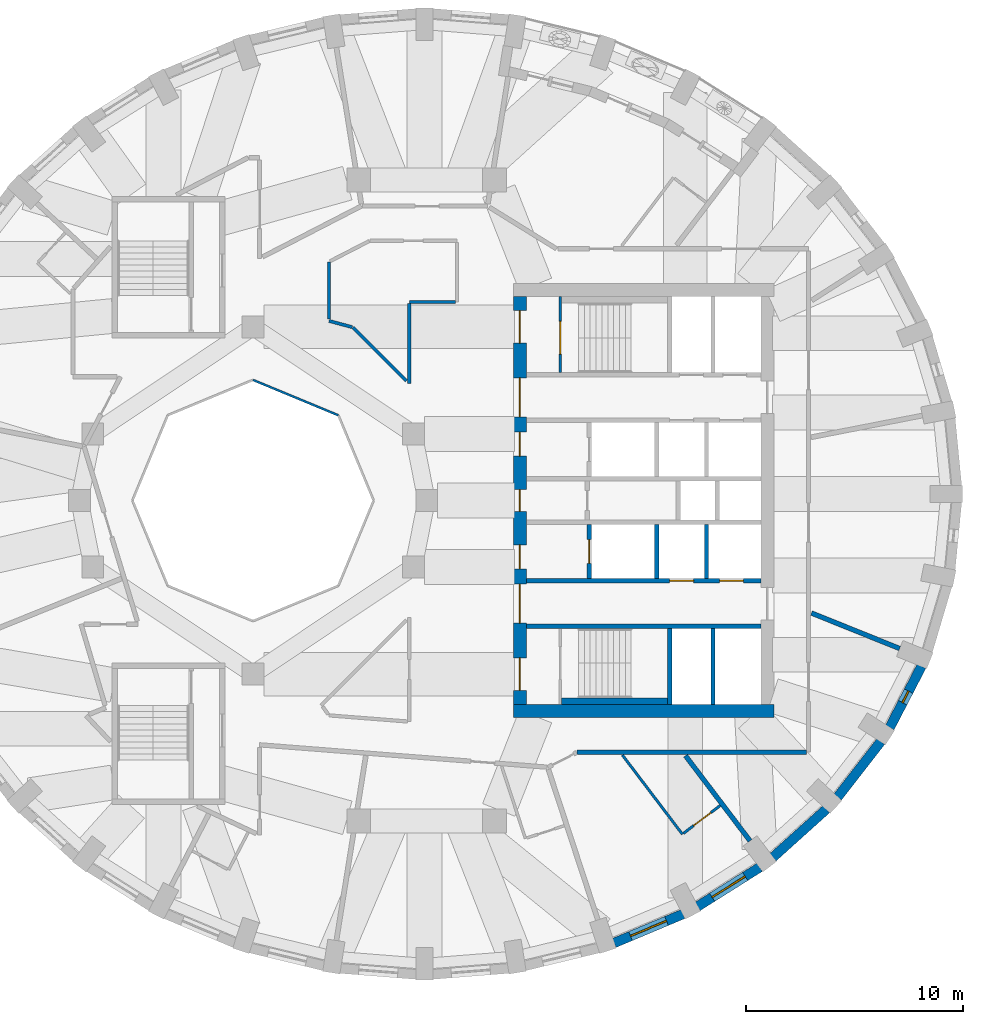
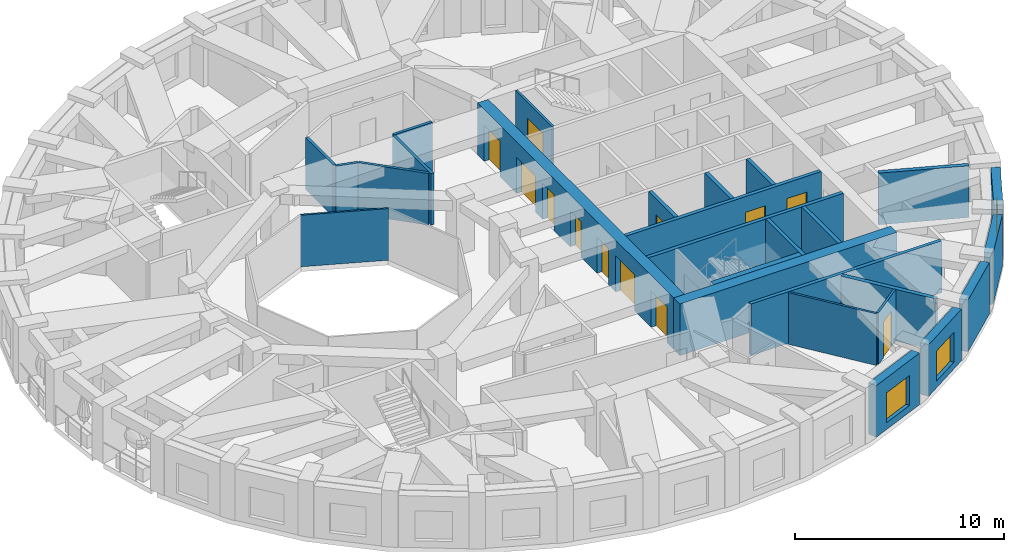
# One storey, part 5 of 12: 27 walls, 12 doors, 3 windows, 15 openings.
"""IFC4 building model written with IfcOpenShell, lengths in metres."""

from ifc_helpers import new_model, si_unit, direction, frame, frame_2d, origin, place, context, subcontext, project, spatial, rectangle, extrude, material, layer, layer_set, type_object, element, fill, save


model = new_model("IFC4")

# Units and contexts
model_context = context("Model", 3, precision=1e-05, world=origin(), true_north=direction((0.0, 1.0)))
body_context = subcontext(model_context, "Body", "Model", "MODEL_VIEW")
ifc_project = project(units=[si_unit("LENGTHUNIT", "METRE"), si_unit("AREAUNIT", "SQUARE_METRE"), si_unit("VOLUMEUNIT", "CUBIC_METRE"), si_unit("PLANEANGLEUNIT", "RADIAN"), si_unit("MASSUNIT", "GRAM", prefix="KILO")], contexts=[model_context])

# Site, building, storey
site_placement = place(None, origin())
site = spatial("IfcSite", under=ifc_project, at=site_placement, CompositionType="ELEMENT")
building_placement = place(site_placement, origin())
building = spatial("IfcBuilding", under=site, at=building_placement, Name="Taillehof Tower", CompositionType="ELEMENT")
storey_placement = place(building_placement, frame((0.0, 0.0, 239.89990234375)))
storey = spatial("IfcBuildingStorey", under=building, at=storey_placement, Name="L68", CompositionType="ELEMENT", Elevation=239.89990234375)

# Wall
ifc_material_1 = material(Name="Fire-resisting glass in steel frame", Category="steel")
ifc_layer_1 = layer(ifc_material_1, 0.10009765625)
ifc_layer_set_1 = layer_set([ifc_layer_1], Name="Atrium fire-resisting screen EI 60 100")
wall_type_1 = type_object("IfcWallType", Name="Atrium fire-resisting screen EI 60 100", PredefinedType="PARTITIONING", material=ifc_layer_set_1)
wall_1_placement = place(storey_placement, frame((-8.0, 5.55419921875, 0.0), z_axis=(0.0, 0.0, 1.0), x_axis=(0.923860025149, -0.382730523909, 0.0)))
element("IfcWall", 1, at=wall_1_placement, inside=storey, type_object=wall_type_1, Name="Atrium screen", PredefinedType="PARTITIONING", context=body_context, shape_type="SweptSolid", body=[
    extrude(rectangle(XDim=4.2509765625, YDim=0.10009765625, at=frame_2d((2.12548828125, 0.0))), origin(), (0.0, 0.0, 1.0), 3.02001953125),
])

# Wall, opening, window
ifc_material_2 = material(Name="Brick masonry", Category="masonry")
ifc_layer_2 = layer(ifc_material_2, 0.449951171875)
ifc_layer_set_2 = layer_set([ifc_layer_2], Name="Brick infill wall 450")
wall_type_2 = type_object("IfcWallType", Name="Brick infill wall 450", PredefinedType="SOLIDWALL", material=ifc_layer_set_2)
wall_2_placement = place(storey_placement, frame((8.640869140625, -20.394775390625, 0.0), z_axis=(0.0, 0.0, 1.0), x_axis=(0.922049934692, 0.3870709469, 0.0)))
wall_2 = element("IfcWall", 2, at=wall_2_placement, inside=storey, type_object=wall_type_2, Name="Brick wall L68 bay 30", PredefinedType="SOLIDWALL", context=body_context, shape_type="SweptSolid", body=[
    extrude(rectangle(XDim=3.443115234375, YDim=0.449951171875, at=frame_2d((1.7216796875, 0.0))), origin(), (0.0, 0.0, 1.0), 3.02001953125),
])
opening_1_placement = place(wall_2_placement, frame((0.82177734375, 0.0, 0.39990234375)))
opening_1 = element("IfcOpeningElement", 3, at=opening_1_placement, cuts=wall_2, Name="Opening W4", PredefinedType="OPENING", context=body_context, shape_type="SweptSolid", body=[
    extrude(rectangle(XDim=1.800048828125, YDim=1.75, at=frame_2d((0.89990234375, 0.875))), frame((0.0, 0.23486328125, 0.0), z_axis=(0.0, -1.0, 0.0), x_axis=(1.0, 0.0, 0.0)), (0.0, 0.0, 1.0), 0.469970703125),
])
ifc_material_3 = material(Name="Aluminium window frame with clear double glazing", Category="aluminium")
window_type_1 = type_object("IfcWindowType", Name="Deep-set window 1800x1750", PartitioningType="SINGLE_PANEL", PredefinedType="WINDOW", material=ifc_material_3)
window_1_placement = place(opening_1_placement, origin())
window_1 = element("IfcWindow", 4, at=window_1_placement, inside=storey, type_object=window_type_1, Name="W4", OverallHeight=1.75, OverallWidth=1.800048828125, PartitioningType="SINGLE_PANEL", PredefinedType="WINDOW", context=body_context, shape_type="SweptSolid", body=[
    extrude(rectangle(XDim=1.800048828125, YDim=1.75, at=frame_2d((0.89990234375, 0.875))), frame((0.0, 0.034912109375, 0.0), z_axis=(0.0, -1.0, 0.0), x_axis=(1.0, 0.0, 0.0)), (0.0, 0.0, 1.0), 0.06005859375),
])
fill(opening_1, window_1)

wall_3_placement = place(storey_placement, frame((12.489990234375, -18.7109375, 0.0), z_axis=(0.0, 0.0, 1.0), x_axis=(0.845929139811, 0.53329531258, 0.0)))
wall_3 = element("IfcWall", 5, at=wall_3_placement, inside=storey, type_object=wall_type_2, Name="Brick wall L68 bay 31", PredefinedType="SOLIDWALL", context=body_context, shape_type="SweptSolid", body=[
    extrude(rectangle(XDim=3.384521484375, YDim=0.449951171875, at=frame_2d((1.6923828125, 0.0))), origin(), (0.0, 0.0, 1.0), 3.02001953125),
])
opening_2_placement = place(wall_3_placement, frame((0.792236328125, 0.0, 0.39990234375)))
opening_2 = element("IfcOpeningElement", 6, at=opening_2_placement, cuts=wall_3, Name="Opening W4", PredefinedType="OPENING", context=body_context, shape_type="SweptSolid", body=[
    extrude(rectangle(XDim=1.800048828125, YDim=1.75, at=frame_2d((0.89990234375, 0.875))), frame((0.0, 0.23486328125, 0.0), z_axis=(0.0, -1.0, 0.0), x_axis=(1.0, 0.0, 0.0)), (0.0, 0.0, 1.0), 0.469970703125),
])
window_2_placement = place(opening_2_placement, origin())
window_2 = element("IfcWindow", 7, at=window_2_placement, inside=storey, type_object=window_type_1, Name="W4", OverallHeight=1.75, OverallWidth=1.800048828125, PartitioningType="SINGLE_PANEL", PredefinedType="WINDOW", context=body_context, shape_type="SweptSolid", body=[
    extrude(rectangle(XDim=1.800048828125, YDim=1.75, at=frame_2d((0.89990234375, 0.875))), frame((0.0, 0.034912109375, 0.0), z_axis=(0.0, -1.0, 0.0), x_axis=(1.0, 0.0, 0.0)), (0.0, 0.0, 1.0), 0.06005859375),
])
fill(opening_2, window_2)

# Walls
wall_4_placement = place(storey_placement, frame((15.959228515625, -16.447509765625, 0.0), z_axis=(0.0, 0.0, 1.0), x_axis=(0.743166014219, 0.669107073128, 0.0)))
element("IfcWall", 8, at=wall_4_placement, inside=storey, type_object=wall_type_2, Name="Brick wall L68 bay 32", PredefinedType="SOLIDWALL", context=body_context, shape_type="SweptSolid", body=[
    extrude(rectangle(XDim=3.31640625, YDim=0.449951171875, at=frame_2d((1.658203125, 0.0))), origin(), (0.0, 0.0, 1.0), 3.02001953125),
])
wall_5_placement = place(storey_placement, frame((18.941650390625, -13.671875, 0.0), z_axis=(0.0, 0.0, 1.0), x_axis=(0.613898970825, 0.789384604372, 0.0)))
element("IfcWall", 9, at=wall_5_placement, inside=storey, type_object=wall_type_2, Name="Brick wall L68 bay 33", PredefinedType="SOLIDWALL", context=body_context, shape_type="SweptSolid", body=[
    extrude(rectangle(XDim=3.2470703125, YDim=0.449951171875, at=frame_2d((1.62353515625, 0.0))), origin(), (0.0, 0.0, 1.0), 3.02001953125),
])

# Wall, opening, window
wall_6_placement = place(storey_placement, frame((21.344970703125, -10.46826171875, 0.0), z_axis=(0.0, 0.0, 1.0), x_axis=(0.459921155255, 0.887959757505, 0.0)))
wall_6 = element("IfcWall", 10, at=wall_6_placement, inside=storey, type_object=wall_type_2, Name="Brick wall L68 bay 34", PredefinedType="SOLIDWALL", context=body_context, shape_type="SweptSolid", body=[
    extrude(rectangle(XDim=3.185546875, YDim=0.449951171875, at=frame_2d((1.5927734375, 0.0))), origin(), (0.0, 0.0, 1.0), 3.02001953125),
])
opening_3_placement = place(wall_6_placement, frame((1.292724609375, 0.0, 0.39990234375)))
opening_3 = element("IfcOpeningElement", 11, at=opening_3_placement, cuts=wall_6, Name="Opening W6", PredefinedType="OPENING", context=body_context, shape_type="SweptSolid", body=[
    extrude(rectangle(XDim=0.60009765625, YDim=1.75, at=frame_2d((0.300048828125, 0.875))), frame((0.0, 0.23486328125, 0.0), z_axis=(0.0, -1.0, 0.0), x_axis=(1.0, 0.0, 0.0)), (0.0, 0.0, 1.0), 0.469970703125),
])
ifc_material_4 = material(Name="Aluminium window frame with clear double glazing", Category="aluminium")
window_type_2 = type_object("IfcWindowType", Name="Slot window 600x1750", PartitioningType="SINGLE_PANEL", PredefinedType="WINDOW", material=ifc_material_4)
window_3_placement = place(opening_3_placement, origin())
window_3 = element("IfcWindow", 12, at=window_3_placement, inside=storey, type_object=window_type_2, Name="W6", OverallHeight=1.75, OverallWidth=0.60009765625, PartitioningType="SINGLE_PANEL", PredefinedType="WINDOW", context=body_context, shape_type="SweptSolid", body=[
    extrude(rectangle(XDim=0.60009765625, YDim=1.75, at=frame_2d((0.300048828125, 0.875))), frame((0.0, 0.034912109375, 0.0), z_axis=(0.0, -1.0, 0.0), x_axis=(1.0, 0.0, 0.0)), (0.0, 0.0, 1.0), 0.06005859375),
])
fill(opening_3, window_3)

# Walls
ifc_material_5 = material(Name="Gypsum board on steel studs, two layers each side", Category="steel")
ifc_layer_3 = layer(ifc_material_5, 0.199951171875)
ifc_layer_set_3 = layer_set([ifc_layer_3], Name="Compartment wall corridor 200")
wall_type_3 = type_object("IfcWallType", Name="Compartment wall corridor 200", PredefinedType="PARTITIONING", material=ifc_layer_set_3)
wall_7_placement = place(storey_placement, frame((17.5, -11.60009765625, 0.0), z_axis=(0.0, 0.0, 1.0), x_axis=(-1.0, 0.0, 0.0)))
element("IfcWall", 13, at=wall_7_placement, inside=storey, type_object=wall_type_3, Name="Compartment wall", PredefinedType="PARTITIONING", context=body_context, shape_type="SweptSolid", body=[
    extrude(rectangle(XDim=10.561767578125, YDim=0.199951171875, at=frame_2d((5.28076171875, 0.0))), origin(), (0.0, 0.0, 1.0), 3.02001953125),
])
ifc_material_6 = material(Name="Gypsum board on double steel studs with mineral wool", Category="steel")
ifc_layer_4 = layer(ifc_material_6, 0.219970703125)
ifc_layer_set_4 = layer_set([ifc_layer_4], Name="Compartment wall guest room 220")
wall_type_4 = type_object("IfcWallType", Name="Compartment wall guest room 220", PredefinedType="PARTITIONING", material=ifc_layer_set_4)
wall_8_placement = place(storey_placement, frame((14.906005859375, -15.687255859375, 0.0), z_axis=(0.0, 0.0, 1.0), x_axis=(-0.604078206052, 0.796925041, 0.0)))
element("IfcWall", 14, at=wall_8_placement, inside=storey, type_object=wall_type_4, Name="Compartment wall", PredefinedType="PARTITIONING", context=body_context, shape_type="SweptSolid", body=[
    extrude(rectangle(XDim=4.92333984375, YDim=0.219970703125, at=frame_2d((2.461669921875, 0.0))), origin(), (0.0, 0.0, 1.0), 3.02001953125),
])
wall_9_placement = place(storey_placement, frame((21.803955078125, -6.824462890625, 0.0), z_axis=(0.0, 0.0, 1.0), x_axis=(-0.927528978592, 0.373751245981, 0.0)))
element("IfcWall", 15, at=wall_9_placement, inside=storey, type_object=wall_type_4, Name="Compartment wall", PredefinedType="PARTITIONING", context=body_context, shape_type="SweptSolid", body=[
    extrude(rectangle(XDim=4.38427734375, YDim=0.219970703125, at=frame_2d((2.192138671875, 0.0))), origin(), (0.0, 0.0, 1.0), 3.02001953125),
])
ifc_material_7 = material(Name="Calcium silicate masonry", Category="masonry")
ifc_layer_5 = layer(ifc_material_7, 0.300048828125)
ifc_layer_set_5 = layer_set([ifc_layer_5], Name="Compartment wall lining calcium silicate 300")
wall_type_5 = type_object("IfcWallType", Name="Compartment wall lining calcium silicate 300", PredefinedType="PARTITIONING", material=ifc_layer_set_5)
wall_10_placement = place(storey_placement, frame((6.219970703125, -9.25, 0.0), z_axis=(0.0, 0.0, 1.0), x_axis=(1.0, 0.0, 0.0)))
element("IfcWall", 16, at=wall_10_placement, inside=storey, type_object=wall_type_5, Name="Compartment wall FW", PredefinedType="PARTITIONING", context=body_context, shape_type="SweptSolid", body=[
    extrude(rectangle(XDim=4.880126953125, YDim=0.300048828125, at=frame_2d((2.43994140625, 0.0))), origin(), (0.0, 0.0, 1.0), 3.02001953125),
])
ifc_material_8 = material(Name="Gypsum board on steel studs, two layers each side", Category="steel")
ifc_layer_6 = layer(ifc_material_8, 0.14990234375)
ifc_layer_set_6 = layer_set([ifc_layer_6], Name="Compartment wall service room 150")
wall_type_6 = type_object("IfcWallType", Name="Compartment wall service room 150", PredefinedType="PARTITIONING", material=ifc_layer_set_6)
wall_11_placement = place(storey_placement, frame((1.31982421875, 9.14990234375, 0.0), z_axis=(0.0, 0.0, 1.0), x_axis=(-1.0, 0.0, 0.0)))
element("IfcWall", 17, at=wall_11_placement, inside=storey, type_object=wall_type_6, Name="Compartment wall", PredefinedType="PARTITIONING", context=body_context, shape_type="SweptSolid", body=[
    extrude(rectangle(XDim=2.119873046875, YDim=0.14990234375, at=frame_2d((1.06005859375, 0.0))), origin(), (0.0, 0.0, 1.0), 3.02001953125),
])
wall_12_placement = place(storey_placement, frame((-0.800048828125, 9.06982421875, 0.0), z_axis=(0.0, 0.0, 1.0), x_axis=(0.0, -1.0, 0.0)))
element("IfcWall", 18, at=wall_12_placement, inside=storey, type_object=wall_type_6, Name="Compartment wall", PredefinedType="PARTITIONING", context=body_context, shape_type="SweptSolid", body=[
    extrude(rectangle(XDim=3.683349609375, YDim=0.14990234375, at=frame_2d((1.841796875, 0.0))), origin(), (0.0, 0.0, 1.0), 3.02001953125),
])
wall_13_placement = place(storey_placement, frame((-0.927490234375, 5.513916015625, 0.0), z_axis=(0.0, 0.0, 1.0), x_axis=(-0.707106781187, 0.707106781187, 0.0)))
element("IfcWall", 19, at=wall_13_placement, inside=storey, type_object=wall_type_6, Name="Compartment wall", PredefinedType="PARTITIONING", context=body_context, shape_type="SweptSolid", body=[
    extrude(rectangle(XDim=3.48681640625, YDim=0.14990234375, at=frame_2d((1.743408203125, 0.0))), origin(), (0.0, 0.0, 1.0), 3.02001953125),
])
wall_14_placement = place(storey_placement, frame((-3.431640625, 7.98974609375, 0.0), z_axis=(0.0, 0.0, 1.0), x_axis=(-0.965900750832, 0.258912609855, 0.0)))
element("IfcWall", 20, at=wall_14_placement, inside=storey, type_object=wall_type_6, Name="Compartment wall", PredefinedType="PARTITIONING", context=body_context, shape_type="SweptSolid", body=[
    extrude(rectangle(XDim=1.10595703125, YDim=0.14990234375, at=frame_2d((0.552978515625, 0.0))), origin(), (0.0, 0.0, 1.0), 3.02001953125),
])
wall_15_placement = place(storey_placement, frame((-4.5, 8.356201171875, 0.0), z_axis=(0.0, 0.0, 1.0), x_axis=(0.0, 1.0, 0.0)))
element("IfcWall", 21, at=wall_15_placement, inside=storey, type_object=wall_type_6, Name="Compartment wall", PredefinedType="PARTITIONING", context=body_context, shape_type="SweptSolid", body=[
    extrude(rectangle(XDim=2.645263671875, YDim=0.14990234375, at=frame_2d((1.32275390625, 0.0))), origin(), (0.0, 0.0, 1.0), 3.02001953125),
])

# Wall, openings, doors
ifc_material_9 = material(Name="Concrete C80/95", Category="concrete")
ifc_layer_7 = layer(ifc_material_9, 0.60009765625)
ifc_layer_set_7 = layer_set([ifc_layer_7], Name="Core wall C80/95 600")
wall_type_7 = type_object("IfcWallType", Name="Core wall C80/95 600", PredefinedType="SHEAR", material=ifc_layer_set_7)
wall_16_placement = place(storey_placement, frame((4.300048828125, -9.39990234375, 0.0), z_axis=(0.0, 0.0, 1.0), x_axis=(0.0, 1.0, 0.0)))
wall_16 = element("IfcWall", 22, at=wall_16_placement, inside=storey, type_object=wall_type_7, Name="Core wall CW01", PredefinedType="SHEAR", context=body_context, shape_type="SweptSolid", body=[
    extrude(rectangle(XDim=18.7998046875, YDim=0.60009765625, at=frame_2d((9.39990234375, 0.0))), origin(), (0.0, 0.0, 1.0), 3.02001953125),
])
opening_4_placement = place(wall_16_placement, frame((0.64990234375, 0.0, 0.0)))
opening_4 = element("IfcOpeningElement", 23, at=opening_4_placement, cuts=wall_16, Name="Opening D6801", PredefinedType="OPENING", context=body_context, shape_type="SweptSolid", body=[
    extrude(rectangle(XDim=1.5, YDim=2.10009765625, at=frame_2d((0.75, 1.050048828125))), frame((0.0, 0.31005859375, 0.0), z_axis=(0.0, -1.0, 0.0), x_axis=(1.0, 0.0, 0.0)), (0.0, 0.0, 1.0), 0.6201171875),
])
opening_5_placement = place(wall_16_placement, frame((3.75, 0.0, 0.0)))
opening_5 = element("IfcOpeningElement", 24, at=opening_5_placement, cuts=wall_16, Name="Opening D6802", PredefinedType="OPENING", context=body_context, shape_type="SweptSolid", body=[
    extrude(rectangle(XDim=1.800048828125, YDim=2.10009765625, at=frame_2d((0.89990234375, 1.050048828125))), frame((0.0, 0.31005859375, 0.0), z_axis=(0.0, -1.0, 0.0), x_axis=(1.0, 0.0, 0.0)), (0.0, 0.0, 1.0), 0.6201171875),
])
opening_6_placement = place(wall_16_placement, frame((6.25, 0.0, 0.0)))
opening_6 = element("IfcOpeningElement", 25, at=opening_6_placement, cuts=wall_16, Name="Opening D6803", PredefinedType="OPENING", context=body_context, shape_type="SweptSolid", body=[
    extrude(rectangle(XDim=1.10009765625, YDim=2.10009765625, at=frame_2d((0.550048828125, 1.050048828125))), frame((0.0, 0.31005859375, 0.0), z_axis=(0.0, -1.0, 0.0), x_axis=(1.0, 0.0, 0.0)), (0.0, 0.0, 1.0), 0.6201171875),
])
opening_7_placement = place(wall_16_placement, frame((8.89990234375, 0.0, 0.0)))
opening_7 = element("IfcOpeningElement", 26, at=opening_7_placement, cuts=wall_16, Name="Opening D6804", PredefinedType="OPENING", context=body_context, shape_type="SweptSolid", body=[
    extrude(rectangle(XDim=1.0, YDim=2.10009765625, at=frame_2d((0.5, 1.050048828125))), frame((0.0, 0.31005859375, 0.0), z_axis=(0.0, -1.0, 0.0), x_axis=(1.0, 0.0, 0.0)), (0.0, 0.0, 1.0), 0.6201171875),
])
opening_8_placement = place(wall_16_placement, frame((11.449951171875, 0.0, 0.0)))
opening_8 = element("IfcOpeningElement", 27, at=opening_8_placement, cuts=wall_16, Name="Opening D6805", PredefinedType="OPENING", context=body_context, shape_type="SweptSolid", body=[
    extrude(rectangle(XDim=1.10009765625, YDim=2.10009765625, at=frame_2d((0.550048828125, 1.050048828125))), frame((0.0, 0.31005859375, 0.0), z_axis=(0.0, -1.0, 0.0), x_axis=(1.0, 0.0, 0.0)), (0.0, 0.0, 1.0), 0.6201171875),
])
opening_9_placement = place(wall_16_placement, frame((13.25, 0.0, 0.0)))
opening_9 = element("IfcOpeningElement", 28, at=opening_9_placement, cuts=wall_16, Name="Opening D6806", PredefinedType="OPENING", context=body_context, shape_type="SweptSolid", body=[
    extrude(rectangle(XDim=1.800048828125, YDim=2.10009765625, at=frame_2d((0.89990234375, 1.050048828125))), frame((0.0, 0.31005859375, 0.0), z_axis=(0.0, -1.0, 0.0), x_axis=(1.0, 0.0, 0.0)), (0.0, 0.0, 1.0), 0.6201171875),
])
opening_10_placement = place(wall_16_placement, frame((16.64990234375, 0.0, 0.0)))
opening_10 = element("IfcOpeningElement", 29, at=opening_10_placement, cuts=wall_16, Name="Opening D6807", PredefinedType="OPENING", context=body_context, shape_type="SweptSolid", body=[
    extrude(rectangle(XDim=1.5, YDim=2.10009765625, at=frame_2d((0.75, 1.050048828125))), frame((0.0, 0.31005859375, 0.0), z_axis=(0.0, -1.0, 0.0), x_axis=(1.0, 0.0, 0.0)), (0.0, 0.0, 1.0), 0.6201171875),
])
ifc_material_10 = material(Name="Steel-faced fire door", Category="steel")
door_type_1 = type_object("IfcDoorType", Name="Firefighting lobby door 1100x2100", OperationType="SINGLE_SWING_RIGHT", PredefinedType="DOOR", material=ifc_material_10)
door_1_placement = place(opening_6_placement, origin())
door_1 = element("IfcDoor", 30, at=door_1_placement, inside=storey, type_object=door_type_1, Name="Firefighting lobby door FFL-S", OperationType="SINGLE_SWING_RIGHT", OverallHeight=2.10009765625, OverallWidth=1.10009765625, PredefinedType="DOOR", context=body_context, shape_type="SweptSolid", body=[
    extrude(rectangle(XDim=1.10009765625, YDim=2.10009765625, at=frame_2d((0.550048828125, 1.050048828125))), frame((0.0, 0.02490234375, 0.0), z_axis=(0.0, -1.0, 0.0), x_axis=(1.0, 0.0, 0.0)), (0.0, 0.0, 1.0), 0.050048828125),
])
fill(opening_6, door_1)
door_2_placement = place(opening_8_placement, origin())
door_2 = element("IfcDoor", 31, at=door_2_placement, inside=storey, type_object=door_type_1, Name="Firefighting lobby door FFL-N", OperationType="SINGLE_SWING_LEFT", OverallHeight=2.10009765625, OverallWidth=1.10009765625, PredefinedType="DOOR", context=body_context, shape_type="SweptSolid", body=[
    extrude(rectangle(XDim=1.10009765625, YDim=2.10009765625, at=frame_2d((0.550048828125, 1.050048828125))), frame((0.0, 0.02490234375, 0.0), z_axis=(0.0, -1.0, 0.0), x_axis=(1.0, 0.0, 0.0)), (0.0, 0.0, 1.0), 0.050048828125),
])
fill(opening_8, door_2)
ifc_material_11 = material(Name="Steel-faced fire door", Category="steel")
door_type_2 = type_object("IfcDoorType", Name="Lift lobby door 1800x2100", OperationType="DOUBLE_DOOR_SINGLE_SWING", PredefinedType="DOOR", material=ifc_material_11)
door_3_placement = place(opening_5_placement, origin())
door_3 = element("IfcDoor", 32, at=door_3_placement, inside=storey, type_object=door_type_2, Name="Lift lobby door LL-S", OperationType="DOUBLE_DOOR_SINGLE_SWING", OverallHeight=2.10009765625, OverallWidth=1.800048828125, PredefinedType="DOOR", context=body_context, shape_type="SweptSolid", body=[
    extrude(rectangle(XDim=1.800048828125, YDim=2.10009765625, at=frame_2d((0.89990234375, 1.050048828125))), frame((0.0, 0.02490234375, 0.0), z_axis=(0.0, -1.0, 0.0), x_axis=(1.0, 0.0, 0.0)), (0.0, 0.0, 1.0), 0.050048828125),
])
fill(opening_5, door_3)
door_4_placement = place(opening_9_placement, origin())
door_4 = element("IfcDoor", 33, at=door_4_placement, inside=storey, type_object=door_type_2, Name="Lift lobby door LL-N", OperationType="DOUBLE_DOOR_SINGLE_SWING", OverallHeight=2.10009765625, OverallWidth=1.800048828125, PredefinedType="DOOR", context=body_context, shape_type="SweptSolid", body=[
    extrude(rectangle(XDim=1.800048828125, YDim=2.10009765625, at=frame_2d((0.89990234375, 1.050048828125))), frame((0.0, 0.02490234375, 0.0), z_axis=(0.0, -1.0, 0.0), x_axis=(1.0, 0.0, 0.0)), (0.0, 0.0, 1.0), 0.050048828125),
])
fill(opening_9, door_4)
ifc_material_12 = material(Name="Steel-faced fire door", Category="steel")
door_type_3 = type_object("IfcDoorType", Name="Service door 1000x2100", OperationType="SINGLE_SWING_RIGHT", PredefinedType="DOOR", material=ifc_material_12)
door_5_placement = place(opening_7_placement, origin())
door_5 = element("IfcDoor", 34, at=door_5_placement, inside=storey, type_object=door_type_3, Name="Service door SV", OperationType="SINGLE_SWING_LEFT", OverallHeight=2.10009765625, OverallWidth=1.0, PredefinedType="DOOR", context=body_context, shape_type="SweptSolid", body=[
    extrude(rectangle(XDim=1.0, YDim=2.10009765625, at=frame_2d((0.5, 1.050048828125))), frame((0.0, 0.02490234375, 0.0), z_axis=(0.0, -1.0, 0.0), x_axis=(1.0, 0.0, 0.0)), (0.0, 0.0, 1.0), 0.050048828125),
])
fill(opening_7, door_5)
ifc_material_13 = material(Name="Steel-faced fire door", Category="steel")
door_type_4 = type_object("IfcDoorType", Name="Stair door 1500x2100", OperationType="DOUBLE_DOOR_SINGLE_SWING", PredefinedType="DOOR", material=ifc_material_13)
door_6_placement = place(opening_4_placement, origin())
door_6 = element("IfcDoor", 35, at=door_6_placement, inside=storey, type_object=door_type_4, Name="Stair door S2", OperationType="DOUBLE_DOOR_SINGLE_SWING", OverallHeight=2.10009765625, OverallWidth=1.5, PredefinedType="DOOR", context=body_context, shape_type="SweptSolid", body=[
    extrude(rectangle(XDim=1.5, YDim=2.10009765625, at=frame_2d((0.75, 1.050048828125))), frame((0.0, 0.02490234375, 0.0), z_axis=(0.0, -1.0, 0.0), x_axis=(1.0, 0.0, 0.0)), (0.0, 0.0, 1.0), 0.050048828125),
])
fill(opening_4, door_6)
door_7_placement = place(opening_10_placement, origin())
door_7 = element("IfcDoor", 36, at=door_7_placement, inside=storey, type_object=door_type_4, Name="Stair door S1", OperationType="DOUBLE_DOOR_SINGLE_SWING", OverallHeight=2.10009765625, OverallWidth=1.5, PredefinedType="DOOR", context=body_context, shape_type="SweptSolid", body=[
    extrude(rectangle(XDim=1.5, YDim=2.10009765625, at=frame_2d((0.75, 1.050048828125))), frame((0.0, 0.02490234375, 0.0), z_axis=(0.0, -1.0, 0.0), x_axis=(1.0, 0.0, 0.0)), (0.0, 0.0, 1.0), 0.050048828125),
])
fill(opening_10, door_7)

# Walls
wall_17_placement = place(storey_placement, frame((4.0, -9.699951171875, 0.0), z_axis=(0.0, 0.0, 1.0), x_axis=(1.0, 0.0, 0.0)))
element("IfcWall", 37, at=wall_17_placement, inside=storey, type_object=wall_type_7, Name="Core wall CW07", PredefinedType="SHEAR", context=body_context, shape_type="SweptSolid", body=[
    extrude(rectangle(XDim=12.0, YDim=0.60009765625, at=frame_2d((6.0, 0.0))), origin(), (0.0, 0.0, 1.0), 3.02001953125),
])
ifc_material_14 = material(Name="Gypsum board on steel studs, moisture resistant", Category="steel")
ifc_layer_8 = layer(ifc_material_14, 0.1201171875)
ifc_layer_set_8 = layer_set([ifc_layer_8], Name="En-suite wall 120")
wall_type_8 = type_object("IfcWallType", Name="En-suite wall 120", PredefinedType="PARTITIONING", material=ifc_layer_set_8)
wall_18_placement = place(storey_placement, frame((9.02197265625, -11.73193359375, 0.0), z_axis=(0.0, 0.0, 1.0), x_axis=(0.604079451594, -0.796924096863, 0.0)))
element("IfcWall", 38, at=wall_18_placement, inside=storey, type_object=wall_type_8, Name="En-suite wall", PredefinedType="PARTITIONING", context=body_context, shape_type="SweptSolid", body=[
    extrude(rectangle(XDim=4.577880859375, YDim=0.1201171875, at=frame_2d((2.2890625, 0.0))), origin(), (0.0, 0.0, 1.0), 3.02001953125),
])

# Wall, opening, door
wall_19_placement = place(storey_placement, frame((11.8349609375, -15.34423828125, 0.0), z_axis=(0.0, 0.0, 1.0), x_axis=(0.79693666797, 0.604062866964, 0.0)))
wall_19 = element("IfcWall", 39, at=wall_19_placement, inside=storey, type_object=wall_type_8, Name="En-suite wall", PredefinedType="PARTITIONING", context=body_context, shape_type="SweptSolid", body=[
    extrude(rectangle(XDim=2.13037109375, YDim=0.1201171875, at=frame_2d((1.065185546875, 0.0))), origin(), (0.0, 0.0, 1.0), 3.02001953125),
])
opening_11_placement = place(wall_19_placement, frame((0.59033203125, 0.0, 0.0)))
opening_11 = element("IfcOpeningElement", 40, at=opening_11_placement, cuts=wall_19, Name="Opening D6853", PredefinedType="OPENING", context=body_context, shape_type="SweptSolid", body=[
    extrude(rectangle(XDim=1.0, YDim=2.10009765625, at=frame_2d((0.5, 1.050048828125))), frame((0.0, 0.070068359375, 0.0), z_axis=(0.0, -1.0, 0.0), x_axis=(1.0, 0.0, 0.0)), (0.0, 0.0, 1.0), 0.14013671875),
])
ifc_material_15 = material(Name="Timber door leaf in steel frame", Category="steel")
door_type_5 = type_object("IfcDoorType", Name="Accessible en-suite door 1000 x 2100", OperationType="SINGLE_SWING_LEFT", PredefinedType="DOOR", material=ifc_material_15)
door_8_placement = place(opening_11_placement, origin())
door_8 = element("IfcDoor", 41, at=door_8_placement, inside=storey, type_object=door_type_5, Name="D6853", OperationType="SINGLE_SWING_LEFT", OverallHeight=2.10009765625, OverallWidth=1.0, PredefinedType="DOOR", context=body_context, shape_type="SweptSolid", body=[
    extrude(rectangle(XDim=1.0, YDim=2.10009765625, at=frame_2d((0.5, 1.050048828125))), frame((0.0, 0.02490234375, 0.0), z_axis=(0.0, -1.0, 0.0), x_axis=(1.0, 0.0, 0.0)), (0.0, 0.0, 1.0), 0.050048828125),
])
fill(opening_11, door_8)

# Wall, openings, doors
ifc_material_16 = material(Name="Concrete C50/60", Category="concrete")
ifc_layer_9 = layer(ifc_material_16, 0.199951171875)
ifc_layer_set_9 = layer_set([ifc_layer_9], Name="Shaft wall C50/60 200")
wall_type_9 = type_object("IfcWallType", Name="Shaft wall C50/60 200", PredefinedType="SHEAR", material=ifc_layer_set_9)
wall_20_placement = place(storey_placement, frame((4.60009765625, -3.699951171875, 0.0), z_axis=(0.0, 0.0, 1.0), x_axis=(1.0, 0.0, 0.0)))
wall_20 = element("IfcWall", 42, at=wall_20_placement, inside=storey, type_object=wall_type_9, Name="Shaft wall SW", PredefinedType="SHEAR", context=body_context, shape_type="SweptSolid", body=[
    extrude(rectangle(XDim=10.7998046875, YDim=0.199951171875, at=frame_2d((5.39990234375, 0.0))), origin(), (0.0, 0.0, 1.0), 3.02001953125),
])
opening_12_placement = place(wall_20_placement, frame((6.60009765625, 0.0, 0.0)))
opening_12 = element("IfcOpeningElement", 43, at=opening_12_placement, cuts=wall_20, Name="Opening LD1", PredefinedType="OPENING", context=body_context, shape_type="SweptSolid", body=[
    extrude(rectangle(XDim=1.10009765625, YDim=2.10009765625, at=frame_2d((0.550048828125, 1.050048828125))), frame((0.0, 0.10986328125, 0.0), z_axis=(0.0, -1.0, 0.0), x_axis=(1.0, 0.0, 0.0)), (0.0, 0.0, 1.0), 0.219970703125),
])
opening_13_placement = place(wall_20_placement, frame((8.89990234375, 0.0, 0.0)))
opening_13 = element("IfcOpeningElement", 44, at=opening_13_placement, cuts=wall_20, Name="Opening LD1", PredefinedType="OPENING", context=body_context, shape_type="SweptSolid", body=[
    extrude(rectangle(XDim=1.10009765625, YDim=2.10009765625, at=frame_2d((0.550048828125, 1.050048828125))), frame((0.0, 0.10986328125, 0.0), z_axis=(0.0, -1.0, 0.0), x_axis=(1.0, 0.0, 0.0)), (0.0, 0.0, 1.0), 0.219970703125),
])
ifc_material_17 = material(Name="Stainless steel", Category="steel")
door_type_6 = type_object("IfcDoorType", Name="Lift landing door LD1 1100x2100", OperationType="DOUBLE_DOOR_SLIDING", PredefinedType="DOOR", material=ifc_material_17)
door_9_placement = place(opening_12_placement, origin())
door_9 = element("IfcDoor", 45, at=door_9_placement, inside=storey, type_object=door_type_6, Name="Landing door HR5", OperationType="DOUBLE_DOOR_SLIDING", OverallHeight=2.10009765625, OverallWidth=1.10009765625, PredefinedType="DOOR", context=body_context, shape_type="SweptSolid", body=[
    extrude(rectangle(XDim=1.10009765625, YDim=2.10009765625, at=frame_2d((0.550048828125, 1.050048828125))), frame((0.0, 0.02490234375, 0.0), z_axis=(0.0, -1.0, 0.0), x_axis=(1.0, 0.0, 0.0)), (0.0, 0.0, 1.0), 0.050048828125),
])
fill(opening_12, door_9)
door_10_placement = place(opening_13_placement, origin())
door_10 = element("IfcDoor", 46, at=door_10_placement, inside=storey, type_object=door_type_6, Name="Landing door HR6", OperationType="DOUBLE_DOOR_SLIDING", OverallHeight=2.10009765625, OverallWidth=1.10009765625, PredefinedType="DOOR", context=body_context, shape_type="SweptSolid", body=[
    extrude(rectangle(XDim=1.10009765625, YDim=2.10009765625, at=frame_2d((0.550048828125, 1.050048828125))), frame((0.0, 0.02490234375, 0.0), z_axis=(0.0, -1.0, 0.0), x_axis=(1.0, 0.0, 0.0)), (0.0, 0.0, 1.0), 0.050048828125),
])
fill(opening_13, door_10)

# Walls
wall_21_placement = place(storey_placement, frame((4.60009765625, -5.800048828125, 0.0), z_axis=(0.0, 0.0, 1.0), x_axis=(1.0, 0.0, 0.0)))
element("IfcWall", 47, at=wall_21_placement, inside=storey, type_object=wall_type_9, Name="Shaft wall SW", PredefinedType="SHEAR", context=body_context, shape_type="SweptSolid", body=[
    extrude(rectangle(XDim=10.7998046875, YDim=0.199951171875, at=frame_2d((5.39990234375, 0.0))), origin(), (0.0, 0.0, 1.0), 3.02001953125),
])
for number, where, z_axis, x_axis, name in (
    (48, (11.199951171875, -9.39990234375, 0.0), (0.0, 0.0, 1.0), (0.0, 1.0, 0.0), "Shaft wall SW"),
    (49, (13.199951171875, -9.39990234375, 0.0), (0.0, 0.0, 1.0), (0.0, 1.0, 0.0), "Shaft wall SW"),
):
    element("IfcWall", number, at=place(storey_placement, frame(where, z_axis=z_axis, x_axis=x_axis)), inside=storey, type_object=wall_type_9, Name=name, PredefinedType="SHEAR", context=body_context, shape_type="SweptSolid", body=[
        extrude(rectangle(XDim=3.5, YDim=0.199951171875, at=frame_2d((1.75, 0.0))), origin(), (0.0, 0.0, 1.0), 3.02001953125),
    ])

# Wall, opening, door
wall_22_placement = place(storey_placement, frame((7.5, -3.60009765625, 0.0), z_axis=(0.0, 0.0, 1.0), x_axis=(0.0, 1.0, 0.0)))
wall_22 = element("IfcWall", 50, at=wall_22_placement, inside=storey, type_object=wall_type_9, Name="Shaft wall SW", PredefinedType="SHEAR", context=body_context, shape_type="SweptSolid", body=[
    extrude(rectangle(XDim=2.5, YDim=0.199951171875, at=frame_2d((1.25, 0.0))), origin(), (0.0, 0.0, 1.0), 3.02001953125),
])
opening_14_placement = place(wall_22_placement, frame((0.699951171875, 0.0, 0.0)))
opening_14 = element("IfcOpeningElement", 51, at=opening_14_placement, cuts=wall_22, Name="Opening LD1", PredefinedType="OPENING", context=body_context, shape_type="SweptSolid", body=[
    extrude(rectangle(XDim=1.10009765625, YDim=2.10009765625, at=frame_2d((0.550048828125, 1.050048828125))), frame((0.0, 0.10986328125, 0.0), z_axis=(0.0, -1.0, 0.0), x_axis=(1.0, 0.0, 0.0)), (0.0, 0.0, 1.0), 0.219970703125),
])
door_11_placement = place(opening_14_placement, origin())
door_11 = element("IfcDoor", 52, at=door_11_placement, inside=storey, type_object=door_type_6, Name="Landing door FF2", OperationType="DOUBLE_DOOR_SLIDING", OverallHeight=2.10009765625, OverallWidth=1.10009765625, PredefinedType="DOOR", context=body_context, shape_type="SweptSolid", body=[
    extrude(rectangle(XDim=1.10009765625, YDim=2.10009765625, at=frame_2d((0.550048828125, 1.050048828125))), frame((0.0, 0.02490234375, 0.0), z_axis=(0.0, -1.0, 0.0), x_axis=(1.0, 0.0, 0.0)), (0.0, 0.0, 1.0), 0.050048828125),
])
fill(opening_14, door_11)

# Walls
for number, where, z_axis, x_axis, name in (
    (53, (10.60009765625, -3.60009765625, 0.0), (0.0, 0.0, 1.0), (0.0, 1.0, 0.0), "Shaft wall SW"),
    (54, (12.89990234375, -3.60009765625, 0.0), (0.0, 0.0, 1.0), (0.0, 1.0, 0.0), "Shaft wall SW"),
):
    element("IfcWall", number, at=place(storey_placement, frame(where, z_axis=z_axis, x_axis=x_axis)), inside=storey, type_object=wall_type_9, Name=name, PredefinedType="SHEAR", context=body_context, shape_type="SweptSolid", body=[
        extrude(rectangle(XDim=2.5, YDim=0.199951171875, at=frame_2d((1.25, 0.0))), origin(), (0.0, 0.0, 1.0), 3.02001953125),
    ])

# Wall, opening, door
ifc_material_18 = material(Name="Concrete C50/60", Category="concrete")
ifc_layer_10 = layer(ifc_material_18, 0.1201171875)
ifc_layer_set_10 = layer_set([ifc_layer_10], Name="Stair lobby wall C50/60 120")
wall_type_10 = type_object("IfcWallType", Name="Stair lobby wall C50/60 120", PredefinedType="SHEAR", material=ifc_layer_set_10)
wall_23_placement = place(storey_placement, frame((6.159912109375, 5.89990234375, 0.0), z_axis=(0.0, 0.0, 1.0), x_axis=(0.0, 1.0, 0.0)))
wall_23 = element("IfcWall", 55, at=wall_23_placement, inside=storey, type_object=wall_type_10, Name="Compartment wall SW", PredefinedType="SHEAR", context=body_context, shape_type="SweptSolid", body=[
    extrude(rectangle(XDim=3.5, YDim=0.1201171875, at=frame_2d((1.75, 0.0))), origin(), (0.0, 0.0, 1.0), 3.02001953125),
])
opening_15_placement = place(wall_23_placement, frame((0.85009765625, 0.0, 0.0)))
opening_15 = element("IfcOpeningElement", 56, at=opening_15_placement, cuts=wall_23, Name="Opening D6810", PredefinedType="OPENING", context=body_context, shape_type="SweptSolid", body=[
    extrude(rectangle(XDim=1.5, YDim=2.10009765625, at=frame_2d((0.75, 1.050048828125))), frame((0.0, 0.070068359375, 0.0), z_axis=(0.0, -1.0, 0.0), x_axis=(1.0, 0.0, 0.0)), (0.0, 0.0, 1.0), 0.14013671875),
])
door_12_placement = place(opening_15_placement, origin())
door_12 = element("IfcDoor", 57, at=door_12_placement, inside=storey, type_object=door_type_4, Name="Stair lobby door S1", OperationType="DOUBLE_DOOR_SINGLE_SWING", OverallHeight=2.10009765625, OverallWidth=1.5, PredefinedType="DOOR", context=body_context, shape_type="SweptSolid", body=[
    extrude(rectangle(XDim=1.5, YDim=2.10009765625, at=frame_2d((0.75, 1.050048828125))), frame((0.0, 0.02490234375, 0.0), z_axis=(0.0, -1.0, 0.0), x_axis=(1.0, 0.0, 0.0)), (0.0, 0.0, 1.0), 0.050048828125),
])
fill(opening_15, door_12)

save(model, "model.ifc")
